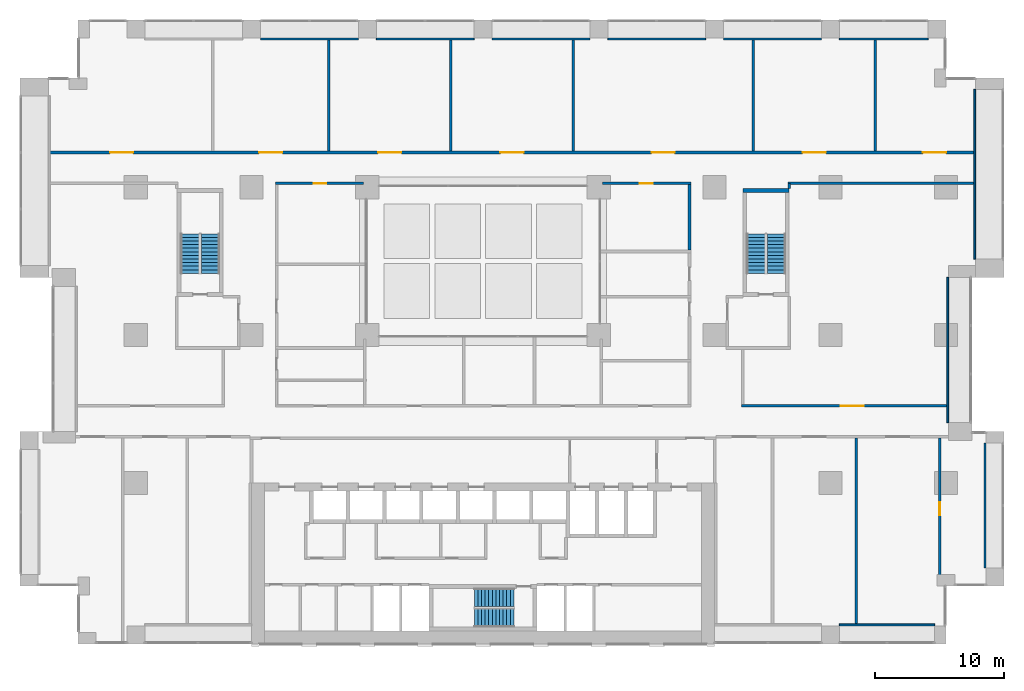
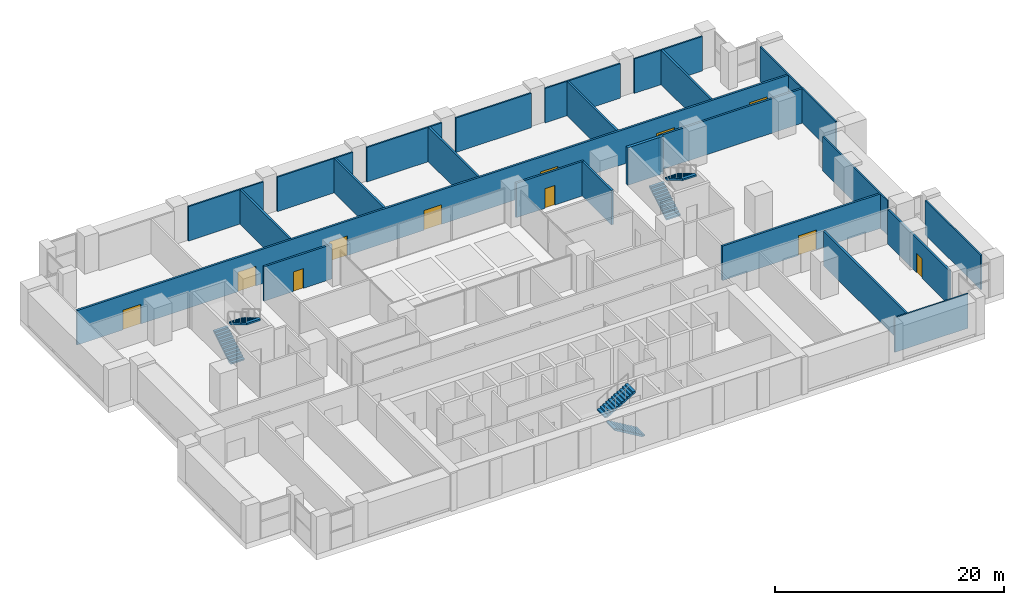
# One storey, part 23 of 24: 25 walls, 11 doors, 6 stair flights, 11 openings, 3 elements without a shape of their own.
"""IFC4 building model written with IfcOpenShell, lengths in metres."""

import ifcopenshell
import ifcopenshell.guid

model = None  # the IFC model being written
_history = None  # IfcOwnerHistory: only IFC2X3 demands one
_inside = {}  # id of a spatial element -> (the spatial element, [elements in it])
_under = {}  # id of a project, library or spatial element -> (it, [spatial elements below it])
_declared = {}  # id of a project -> (the project, [libraries it declares])
_typed = {}  # id of a type object -> (the type object, [elements of that type])
_made_of = {}  # id of a material, layer set ... -> (it, [elements and type objects made of it])


def new_model(schema):
    """Start an empty IFC model of exactly this schema.

    Asked for "IFC4X3", IfcOpenShell would pick the latest addendum, in which some entities
    have other attributes; the version numbers below select the first issue.
    IFC2X3 requires an IfcOwnerHistory on every rooted entity: one is made here for all.
    """
    global model, _history
    if schema == "IFC4X3":
        model = ifcopenshell.file(schema_version=(4, 3, 0, 0))
    else:
        model = ifcopenshell.file(schema=schema)
    _inside.clear()
    _under.clear()
    _declared.clear()
    _typed.clear()
    _made_of.clear()
    _history = None
    if model.schema == "IFC2X3":
        org = make("IfcOrganization", Name="unknown")
        user = make(
            "IfcPersonAndOrganization",
            ThePerson=make("IfcPerson", FamilyName="unknown"),
            TheOrganization=org,
        )
        app = make(
            "IfcApplication",
            ApplicationDeveloper=org,
            Version="unknown",
            ApplicationFullName="unknown",
            ApplicationIdentifier="unknown",
        )
        _history = make(
            "IfcOwnerHistory",
            OwningUser=user,
            OwningApplication=app,
            ChangeAction="ADDED",
            CreationDate=0,
        )
    return model


def make(cls, **values):
    """One entity of the class cls with the attributes given. An attribute that is None is left unset."""
    return model.create_entity(
        cls, **{name: value for name, value in values.items() if value is not None}
    )


def rooted(cls, **values):
    """An entity with a GlobalId (a new one), such as an element, a storey or a relation."""
    return make(cls, GlobalId=ifcopenshell.guid.new(), OwnerHistory=_history, **values)


def si_unit(unit_type, name, prefix=None):
    """IfcSIUnit, for example si_unit("LENGTHUNIT", "METRE", prefix="MILLI")."""
    return make("IfcSIUnit", UnitType=unit_type, Prefix=prefix, Name=name)


def assignment(units):
    """IfcUnitAssignment: the units of a project."""
    return None if units is None else make("IfcUnitAssignment", Units=units)


def point(xyz):
    """IfcCartesianPoint."""
    return None if xyz is None else make("IfcCartesianPoint", Coordinates=xyz)


def direction(xyz):
    """IfcDirection."""
    return None if xyz is None else make("IfcDirection", DirectionRatios=xyz)


def frame(location, z_axis=None, x_axis=None):
    """IfcAxis2Placement3D, a coordinate frame: its origin and axes. An axis left out is left unset."""
    return make(
        "IfcAxis2Placement3D",
        Location=point(location),
        Axis=direction(z_axis),
        RefDirection=direction(x_axis),
    )


def frame_2d(location, x_axis=None):
    """IfcAxis2Placement2D, a coordinate frame in the plane: its origin and x axis."""
    return make(
        "IfcAxis2Placement2D", Location=point(location), RefDirection=direction(x_axis)
    )


def origin():
    """The frame at (0, 0, 0) with its axes left unset."""
    return frame((0.0, 0.0, 0.0))


def place(relative_to, where):
    """IfcLocalPlacement: puts the frame where relative to a parent placement (None: the world)."""
    return make(
        "IfcLocalPlacement", PlacementRelTo=relative_to, RelativePlacement=where
    )


def context(
    kind, dimensions, precision=None, world=None, true_north=None, identifier=None
):
    """IfcGeometricRepresentationContext, for example the 3D "Model" context."""
    return make(
        "IfcGeometricRepresentationContext",
        ContextIdentifier=identifier,
        ContextType=kind,
        CoordinateSpaceDimension=dimensions,
        Precision=precision,
        WorldCoordinateSystem=world,
        TrueNorth=true_north,
    )


def subcontext(parent, identifier, kind, view, scale=None):
    """IfcGeometricRepresentationSubContext, for example "Body" below "Model"."""
    return make(
        "IfcGeometricRepresentationSubContext",
        ContextIdentifier=identifier,
        ContextType=kind,
        ParentContext=parent,
        TargetScale=scale,
        TargetView=view,
    )


def project(units=None, contexts=None):
    """IfcProject with its units and contexts."""
    return rooted(
        "IfcProject",
        Name="project",
        RepresentationContexts=contexts,
        UnitsInContext=assignment(units),
    )


def spatial(cls, under=None, at=None, **own):
    """A site, building, storey or space (cls), placed at a placement, below another one or the project."""
    s = rooted(cls, ObjectPlacement=at, **own)
    if under is not None:
        _under.setdefault(under.id(), (under, []))[1].append(s)
    return s


def polyline(points):
    """IfcPolyline through the points."""
    return make("IfcPolyline", Points=[point(p) for p in points])


def profile(cls, at=None, kind="AREA", **sizes):
    """A parametric profile (cls). Its sizes go by their IFC names, for example OverallWidth=200.0."""
    return make(cls, ProfileType=kind, Position=at, **sizes)


def rectangle(**sizes):
    """IfcRectangleProfileDef."""
    return profile("IfcRectangleProfileDef", **sizes)


def outline(outer, holes=None, kind="AREA"):
    """IfcArbitraryClosedProfileDef: a profile drawn as a closed curve; with holes, ...WithVoids."""
    if holes is None:
        return make("IfcArbitraryClosedProfileDef", ProfileType=kind, OuterCurve=outer)
    return make(
        "IfcArbitraryProfileDefWithVoids",
        ProfileType=kind,
        OuterCurve=outer,
        InnerCurves=holes,
    )


def extrude(swept, where, along, depth):
    """IfcExtrudedAreaSolid: the profile swept, set in the frame where, extruded along a direction by depth."""
    return make(
        "IfcExtrudedAreaSolid",
        SweptArea=swept,
        Position=where,
        ExtrudedDirection=direction(along),
        Depth=depth,
    )


def shape(context_of_items, identifier, shape_type, items):
    """IfcShapeRepresentation: the items that make up one representation, for example the "Body"."""
    return make(
        "IfcShapeRepresentation",
        ContextOfItems=context_of_items,
        RepresentationIdentifier=identifier,
        RepresentationType=shape_type,
        Items=items,
    )


def material(Name=None, Category=None):
    """IfcMaterial."""
    return make("IfcMaterial", Name=Name, Category=Category)


def layer(
    of_material, thickness, ventilated=None, Name=None, Category=None, Priority=None
):
    """IfcMaterialLayer: one layer of a wall or slab, of a material (None: an air gap)."""
    return make(
        "IfcMaterialLayer",
        Material=of_material,
        LayerThickness=thickness,
        IsVentilated=ventilated,
        Name=Name,
        Category=Category,
        Priority=Priority,
    )


def layer_set(layers, Name=None):
    """IfcMaterialLayerSet."""
    return make("IfcMaterialLayerSet", MaterialLayers=layers, LayerSetName=Name)


def made_of(thing, what):
    """Note that an element or type object is made of a material, layer set ...; save() writes the relation."""
    if what is not None:
        _made_of.setdefault(what.id(), (what, []))[1].append(thing)
    return thing


def type_object(cls, material=None, **own):
    """A type object (cls), such as IfcWallType, which elements share."""
    return made_of(rooted(cls, **own), material)


def element(
    cls,
    number,
    at=None,
    inside=None,
    cuts=None,
    type_object=None,
    material=None,
    context=None,
    identifier="Body",
    shape_type=None,
    held_by="IfcProductDefinitionShape",
    body=None,
    shapes=None,
    **own,
):
    """One element of the class cls, such as IfcWall. Its Tag is "e" and its number.

    at: its placement. inside: the storey or other place that contains it. cuts: it is an
    opening in that element (IfcRelVoidsElement). A single representation is given by context,
    identifier, shape_type and body (its items); several are given by shapes. held_by: the class
    of the entity that holds the representations. save() writes the other relations.
    """
    e = rooted(cls, Tag="e%d" % number, ObjectPlacement=at, **own)
    if body is not None:
        shapes = [shape(context, identifier, shape_type, body)]
    if shapes is not None:
        e.Representation = make(held_by, Representations=shapes)
    if inside is not None:
        _inside.setdefault(inside.id(), (inside, []))[1].append(e)
    if cuts is not None:
        rooted(
            "IfcRelVoidsElement", RelatingBuildingElement=cuts, RelatedOpeningElement=e
        )
    if type_object is not None:
        _typed.setdefault(type_object.id(), (type_object, []))[1].append(e)
    return made_of(e, material)


def fill(opening, filler):
    """IfcRelFillsElement: the door or window that sits in an opening."""
    return rooted(
        "IfcRelFillsElement",
        RelatingOpeningElement=opening,
        RelatedBuildingElement=filler,
    )


def aggregate(whole, parts):
    """IfcRelAggregates: a whole, such as a stair, and the parts it consists of."""
    return rooted("IfcRelAggregates", RelatingObject=whole, RelatedObjects=parts)


def save(model, path):
    """Write the relations noted so far, then the file.

    IfcRelAggregates (storeys below a building ...), IfcRelContainedInSpatialStructure (elements
    in a storey), IfcRelDefinesByType, IfcRelAssociatesMaterial and IfcRelDeclares: one each for
    every whole, place, type object, material and project.
    """
    for whole, parts in _under.values():
        aggregate(whole, parts)
    for where, things in _inside.values():
        rooted(
            "IfcRelContainedInSpatialStructure",
            RelatedElements=things,
            RelatingStructure=where,
        )
    for kind, things in _typed.values():
        rooted("IfcRelDefinesByType", RelatedObjects=things, RelatingType=kind)
    for what, things in _made_of.values():
        rooted("IfcRelAssociatesMaterial", RelatedObjects=things, RelatingMaterial=what)
    for by, libraries in _declared.values():
        rooted("IfcRelDeclares", RelatingContext=by, RelatedDefinitions=libraries)
    model.write(path)


model = new_model("IFC4")

# Units and contexts
model_context = context("Model", 3, precision=1e-05, world=origin(), true_north=direction((0.0, 1.0)))
body_context = subcontext(model_context, "Body", "Model", "MODEL_VIEW")
ifc_project = project(units=[si_unit("LENGTHUNIT", "METRE"), si_unit("AREAUNIT", "SQUARE_METRE"), si_unit("VOLUMEUNIT", "CUBIC_METRE"), si_unit("PLANEANGLEUNIT", "RADIAN"), si_unit("MASSUNIT", "GRAM", prefix="KILO")], contexts=[model_context])

# Site, building, storey
site_placement = place(None, origin())
site = spatial("IfcSite", under=ifc_project, at=site_placement, CompositionType="ELEMENT")
building_placement = place(site_placement, origin())
building = spatial("IfcBuilding", under=site, at=building_placement, Name="Brigalow Station Residences", CompositionType="ELEMENT")
storey_placement = place(building_placement, frame((0.0, 0.0, 15.5)))
storey = spatial("IfcBuildingStorey", under=building, at=storey_placement, Name="L03", CompositionType="ELEMENT", Elevation=15.5)

# Wall
ifc_material_1 = material(Name="Concrete C80", Category="concrete")
ifc_layer_1 = layer(ifc_material_1, 0.300048828125)
ifc_layer_set_1 = layer_set([ifc_layer_1], Name="CORE SHEAR WALL 300 C80")
wall_type_1 = type_object("IfcWallType", Name="CORE SHEAR WALL 300 C80", PredefinedType="SHEAR", material=ifc_layer_set_1)
wall_1_placement = place(storey_placement, frame((56.199951171875, 35.25, 0.0), z_axis=(0.0, 0.0, 1.0), x_axis=(1.0, 0.0, 0.0)))
element("IfcWall", 1, at=wall_1_placement, inside=storey, type_object=wall_type_1, Name="CORE WALL ST-S3-N L03", PredefinedType="SHEAR", context=body_context, shape_type="SweptSolid", body=[
    extrude(rectangle(XDim=3.60009765625, YDim=0.300048828125, at=frame_2d((1.800048828125, 0.0))), origin(), (0.0, 0.0, 1.0), 4.0),
])

# Wall, opening, door
ifc_material_2 = material(Name="Concrete blockwork", Category="masonry")
ifc_layer_2 = layer(ifc_material_2, 0.199951171875)
ifc_layer_set_2 = layer_set([ifc_layer_2], Name="FIRE RATED CORE PARTITION 200")
wall_type_2 = type_object("IfcWallType", Name="FIRE RATED CORE PARTITION 200", PredefinedType="PARTITIONING", material=ifc_layer_set_2)
wall_2_placement = place(storey_placement, frame((56.10009765625, 18.5, 0.0), z_axis=(0.0, 0.0, 1.0), x_axis=(1.0, 0.0, 0.0)))
wall_2 = element("IfcWall", 2, at=wall_2_placement, inside=storey, type_object=wall_type_2, Name="PW-5068", PredefinedType="PARTITIONING", context=body_context, shape_type="SweptSolid", body=[
    extrude(rectangle(XDim=15.949951171875, YDim=0.199951171875, at=frame_2d((7.97509765625, 0.0))), origin(), (0.0, 0.0, 1.0), 3.679931640625),
])
opening_1_placement = place(wall_2_placement, frame((7.699951171875, 0.0, 0.0)))
opening_1 = element("IfcOpeningElement", 3, at=opening_1_placement, cuts=wall_2, Name="Opening D-5064", PredefinedType="OPENING", context=body_context, shape_type="SweptSolid", body=[
    extrude(rectangle(XDim=1.800048828125, YDim=2.10009765625, at=frame_2d((0.89990234375, 1.050048828125))), frame((0.0, 0.10986328125, 0.0), z_axis=(0.0, -1.0, 0.0), x_axis=(1.0, 0.0, 0.0)), (0.0, 0.0, 1.0), 0.219970703125),
])
ifc_material_3 = material(Name="Steel fire door leaf in steel frame", Category="steel")
door_type_1 = type_object("IfcDoorType", Name="PLANT ROOM DOOR 1800 x 2100 FD60", OperationType="DOUBLE_DOOR_SINGLE_SWING", PredefinedType="DOOR", material=ifc_material_3)
door_1_placement = place(opening_1_placement, origin())
door_1 = element("IfcDoor", 4, at=door_1_placement, inside=storey, type_object=door_type_1, Name="D-5064", OperationType="DOUBLE_DOOR_SINGLE_SWING", OverallHeight=2.10009765625, OverallWidth=1.800048828125, PredefinedType="DOOR", context=body_context, shape_type="SweptSolid", body=[
    extrude(rectangle(XDim=1.800048828125, YDim=2.10009765625, at=frame_2d((0.89990234375, 1.050048828125))), frame((0.0, 0.02490234375, 0.0), z_axis=(0.0, -1.0, 0.0), x_axis=(1.0, 0.0, 0.0)), (0.0, 0.0, 1.0), 0.050048828125),
])
fill(opening_1, door_1)

wall_3_placement = place(storey_placement, frame((19.85009765625, 35.800048828125, 0.0), z_axis=(0.0, 0.0, 1.0), x_axis=(1.0, 0.0, 0.0)))
wall_3 = element("IfcWall", 5, at=wall_3_placement, inside=storey, type_object=wall_type_2, Name="PW-5077", PredefinedType="PARTITIONING", context=body_context, shape_type="SweptSolid", body=[
    extrude(rectangle(XDim=6.849853515625, YDim=0.199951171875, at=frame_2d((3.4248046875, 0.0))), origin(), (0.0, 0.0, 1.0), 3.679931640625),
])
opening_2_placement = place(wall_3_placement, frame((2.97509765625, 0.0, 0.0)))
opening_2 = element("IfcOpeningElement", 6, at=opening_2_placement, cuts=wall_3, Name="Opening D-5055", PredefinedType="OPENING", context=body_context, shape_type="SweptSolid", body=[
    extrude(rectangle(XDim=1.0, YDim=2.10009765625, at=frame_2d((0.5, 1.050048828125))), frame((0.0, 0.10986328125, 0.0), z_axis=(0.0, -1.0, 0.0), x_axis=(1.0, 0.0, 0.0)), (0.0, 0.0, 1.0), 0.219970703125),
])
ifc_material_4 = material(Name="Steel fire door leaf in steel frame", Category="steel")
door_type_2 = type_object("IfcDoorType", Name="PLANT ROOM DOOR 1000 x 2100 FD60", OperationType="SINGLE_SWING_LEFT", PredefinedType="DOOR", material=ifc_material_4)
door_2_placement = place(opening_2_placement, frame((1.0, 0.0, 0.0), z_axis=(0.0, 0.0, 1.0), x_axis=(-1.0, 0.0, 0.0)))
door_2 = element("IfcDoor", 7, at=door_2_placement, inside=storey, type_object=door_type_2, Name="D-5055", OperationType="SINGLE_SWING_RIGHT", OverallHeight=2.10009765625, OverallWidth=1.0, PredefinedType="DOOR", context=body_context, shape_type="SweptSolid", body=[
    extrude(rectangle(XDim=1.0, YDim=2.10009765625, at=frame_2d((0.5, 1.050048828125))), frame((0.0, 0.02490234375, 0.0), z_axis=(0.0, -1.0, 0.0), x_axis=(1.0, 0.0, 0.0)), (0.0, 0.0, 1.0), 0.050048828125),
])
fill(opening_2, door_2)

wall_4_placement = place(storey_placement, frame((45.300048828125, 35.800048828125, 0.0), z_axis=(0.0, 0.0, 1.0), x_axis=(1.0, 0.0, 0.0)))
wall_4 = element("IfcWall", 8, at=wall_4_placement, inside=storey, type_object=wall_type_2, Name="PW-5078", PredefinedType="PARTITIONING", context=body_context, shape_type="SweptSolid", body=[
    extrude(rectangle(XDim=6.849853515625, YDim=0.199951171875, at=frame_2d((3.4248046875, 0.0))), origin(), (0.0, 0.0, 1.0), 3.679931640625),
])
opening_3_placement = place(wall_4_placement, frame((2.875, 0.0, 0.0)))
opening_3 = element("IfcOpeningElement", 9, at=opening_3_placement, cuts=wall_4, Name="Opening D-5059", PredefinedType="OPENING", context=body_context, shape_type="SweptSolid", body=[
    extrude(rectangle(XDim=1.0, YDim=2.10009765625, at=frame_2d((0.5, 1.050048828125))), frame((0.0, 0.10986328125, 0.0), z_axis=(0.0, -1.0, 0.0), x_axis=(1.0, 0.0, 0.0)), (0.0, 0.0, 1.0), 0.219970703125),
])
door_3_placement = place(opening_3_placement, frame((1.0, 0.0, 0.0), z_axis=(0.0, 0.0, 1.0), x_axis=(-1.0, 0.0, 0.0)))
door_3 = element("IfcDoor", 10, at=door_3_placement, inside=storey, type_object=door_type_2, Name="D-5059", OperationType="SINGLE_SWING_LEFT", OverallHeight=2.10009765625, OverallWidth=1.0, PredefinedType="DOOR", context=body_context, shape_type="SweptSolid", body=[
    extrude(rectangle(XDim=1.0, YDim=2.10009765625, at=frame_2d((0.5, 1.050048828125))), frame((0.0, 0.02490234375, 0.0), z_axis=(0.0, -1.0, 0.0), x_axis=(1.0, 0.0, 0.0)), (0.0, 0.0, 1.0), 0.050048828125),
])
fill(opening_3, door_3)

# Wall
wall_5_placement = place(storey_placement, frame((59.699951171875, 35.800048828125, 0.0), z_axis=(0.0, 0.0, 1.0), x_axis=(1.0, 0.0, 0.0)))
element("IfcWall", 11, at=wall_5_placement, inside=storey, type_object=wall_type_2, Name="PW-5079", PredefinedType="PARTITIONING", context=body_context, shape_type="SweptSolid", body=[
    extrude(rectangle(XDim=14.449951171875, YDim=0.199951171875, at=frame_2d((7.22509765625, 0.0))), origin(), (0.0, 0.0, 1.0), 3.679931640625),
])

# Wall, openings, doors
wall_6_placement = place(storey_placement, frame((2.35009765625, 38.199951171875, 0.0), z_axis=(0.0, 0.0, 1.0), x_axis=(1.0, 0.0, 0.0)))
wall_6 = element("IfcWall", 12, at=wall_6_placement, inside=storey, type_object=wall_type_2, Name="PW-5080", PredefinedType="PARTITIONING", context=body_context, shape_type="SweptSolid", body=[
    extrude(rectangle(XDim=71.7998046875, YDim=0.199951171875, at=frame_2d((35.89990234375, 0.0))), origin(), (0.0, 0.0, 1.0), 3.679931640625),
])
opening_4_placement = place(wall_6_placement, frame((4.64990234375, 0.0, 0.0)))
opening_4 = element("IfcOpeningElement", 13, at=opening_4_placement, cuts=wall_6, Name="Opening D-5065", PredefinedType="OPENING", context=body_context, shape_type="SweptSolid", body=[
    extrude(rectangle(XDim=1.800048828125, YDim=2.10009765625, at=frame_2d((0.89990234375, 1.050048828125))), frame((0.0, 0.10986328125, 0.0), z_axis=(0.0, -1.0, 0.0), x_axis=(1.0, 0.0, 0.0)), (0.0, 0.0, 1.0), 0.219970703125),
])
opening_5_placement = place(wall_6_placement, frame((16.25, 0.0, 0.0)))
opening_5 = element("IfcOpeningElement", 14, at=opening_5_placement, cuts=wall_6, Name="Opening D-5066", PredefinedType="OPENING", context=body_context, shape_type="SweptSolid", body=[
    extrude(rectangle(XDim=1.800048828125, YDim=2.10009765625, at=frame_2d((0.89990234375, 1.050048828125))), frame((0.0, 0.10986328125, 0.0), z_axis=(0.0, -1.0, 0.0), x_axis=(1.0, 0.0, 0.0)), (0.0, 0.0, 1.0), 0.219970703125),
])
opening_6_placement = place(wall_6_placement, frame((25.5, 0.0, 0.0)))
opening_6 = element("IfcOpeningElement", 15, at=opening_6_placement, cuts=wall_6, Name="Opening D-5067", PredefinedType="OPENING", context=body_context, shape_type="SweptSolid", body=[
    extrude(rectangle(XDim=1.800048828125, YDim=2.10009765625, at=frame_2d((0.89990234375, 1.050048828125))), frame((0.0, 0.10986328125, 0.0), z_axis=(0.0, -1.0, 0.0), x_axis=(1.0, 0.0, 0.0)), (0.0, 0.0, 1.0), 0.219970703125),
])
opening_7_placement = place(wall_6_placement, frame((35.0, 0.0, 0.0)))
opening_7 = element("IfcOpeningElement", 16, at=opening_7_placement, cuts=wall_6, Name="Opening D-5068", PredefinedType="OPENING", context=body_context, shape_type="SweptSolid", body=[
    extrude(rectangle(XDim=1.800048828125, YDim=2.10009765625, at=frame_2d((0.89990234375, 1.050048828125))), frame((0.0, 0.10986328125, 0.0), z_axis=(0.0, -1.0, 0.0), x_axis=(1.0, 0.0, 0.0)), (0.0, 0.0, 1.0), 0.219970703125),
])
opening_8_placement = place(wall_6_placement, frame((46.75, 0.0, 0.0)))
opening_8 = element("IfcOpeningElement", 17, at=opening_8_placement, cuts=wall_6, Name="Opening D-5069", PredefinedType="OPENING", context=body_context, shape_type="SweptSolid", body=[
    extrude(rectangle(XDim=1.800048828125, YDim=2.10009765625, at=frame_2d((0.89990234375, 1.050048828125))), frame((0.0, 0.10986328125, 0.0), z_axis=(0.0, -1.0, 0.0), x_axis=(1.0, 0.0, 0.0)), (0.0, 0.0, 1.0), 0.219970703125),
])
opening_9_placement = place(wall_6_placement, frame((58.5, 0.0, 0.0)))
opening_9 = element("IfcOpeningElement", 18, at=opening_9_placement, cuts=wall_6, Name="Opening D-5070", PredefinedType="OPENING", context=body_context, shape_type="SweptSolid", body=[
    extrude(rectangle(XDim=1.800048828125, YDim=2.10009765625, at=frame_2d((0.89990234375, 1.050048828125))), frame((0.0, 0.10986328125, 0.0), z_axis=(0.0, -1.0, 0.0), x_axis=(1.0, 0.0, 0.0)), (0.0, 0.0, 1.0), 0.219970703125),
])
opening_10_placement = place(wall_6_placement, frame((67.85009765625, 0.0, 0.0)))
opening_10 = element("IfcOpeningElement", 19, at=opening_10_placement, cuts=wall_6, Name="Opening D-5071", PredefinedType="OPENING", context=body_context, shape_type="SweptSolid", body=[
    extrude(rectangle(XDim=1.800048828125, YDim=2.10009765625, at=frame_2d((0.89990234375, 1.050048828125))), frame((0.0, 0.10986328125, 0.0), z_axis=(0.0, -1.0, 0.0), x_axis=(1.0, 0.0, 0.0)), (0.0, 0.0, 1.0), 0.219970703125),
])
door_4_placement = place(opening_4_placement, origin())
door_4 = element("IfcDoor", 20, at=door_4_placement, inside=storey, type_object=door_type_1, Name="D-5065", OperationType="DOUBLE_DOOR_SINGLE_SWING", OverallHeight=2.10009765625, OverallWidth=1.800048828125, PredefinedType="DOOR", context=body_context, shape_type="SweptSolid", body=[
    extrude(rectangle(XDim=1.800048828125, YDim=2.10009765625, at=frame_2d((0.89990234375, 1.050048828125))), frame((0.0, 0.02490234375, 0.0), z_axis=(0.0, -1.0, 0.0), x_axis=(1.0, 0.0, 0.0)), (0.0, 0.0, 1.0), 0.050048828125),
])
fill(opening_4, door_4)
door_5_placement = place(opening_5_placement, origin())
door_5 = element("IfcDoor", 21, at=door_5_placement, inside=storey, type_object=door_type_1, Name="D-5066", OperationType="DOUBLE_DOOR_SINGLE_SWING", OverallHeight=2.10009765625, OverallWidth=1.800048828125, PredefinedType="DOOR", context=body_context, shape_type="SweptSolid", body=[
    extrude(rectangle(XDim=1.800048828125, YDim=2.10009765625, at=frame_2d((0.89990234375, 1.050048828125))), frame((0.0, 0.02490234375, 0.0), z_axis=(0.0, -1.0, 0.0), x_axis=(1.0, 0.0, 0.0)), (0.0, 0.0, 1.0), 0.050048828125),
])
fill(opening_5, door_5)
door_6_placement = place(opening_6_placement, origin())
door_6 = element("IfcDoor", 22, at=door_6_placement, inside=storey, type_object=door_type_1, Name="D-5067", OperationType="DOUBLE_DOOR_SINGLE_SWING", OverallHeight=2.10009765625, OverallWidth=1.800048828125, PredefinedType="DOOR", context=body_context, shape_type="SweptSolid", body=[
    extrude(rectangle(XDim=1.800048828125, YDim=2.10009765625, at=frame_2d((0.89990234375, 1.050048828125))), frame((0.0, 0.02490234375, 0.0), z_axis=(0.0, -1.0, 0.0), x_axis=(1.0, 0.0, 0.0)), (0.0, 0.0, 1.0), 0.050048828125),
])
fill(opening_6, door_6)
door_7_placement = place(opening_7_placement, origin())
door_7 = element("IfcDoor", 23, at=door_7_placement, inside=storey, type_object=door_type_1, Name="D-5068", OperationType="DOUBLE_DOOR_SINGLE_SWING", OverallHeight=2.10009765625, OverallWidth=1.800048828125, PredefinedType="DOOR", context=body_context, shape_type="SweptSolid", body=[
    extrude(rectangle(XDim=1.800048828125, YDim=2.10009765625, at=frame_2d((0.89990234375, 1.050048828125))), frame((0.0, 0.02490234375, 0.0), z_axis=(0.0, -1.0, 0.0), x_axis=(1.0, 0.0, 0.0)), (0.0, 0.0, 1.0), 0.050048828125),
])
fill(opening_7, door_7)
door_8_placement = place(opening_8_placement, origin())
door_8 = element("IfcDoor", 24, at=door_8_placement, inside=storey, type_object=door_type_1, Name="D-5069", OperationType="DOUBLE_DOOR_SINGLE_SWING", OverallHeight=2.10009765625, OverallWidth=1.800048828125, PredefinedType="DOOR", context=body_context, shape_type="SweptSolid", body=[
    extrude(rectangle(XDim=1.800048828125, YDim=2.10009765625, at=frame_2d((0.89990234375, 1.050048828125))), frame((0.0, 0.02490234375, 0.0), z_axis=(0.0, -1.0, 0.0), x_axis=(1.0, 0.0, 0.0)), (0.0, 0.0, 1.0), 0.050048828125),
])
fill(opening_8, door_8)
door_9_placement = place(opening_9_placement, origin())
door_9 = element("IfcDoor", 25, at=door_9_placement, inside=storey, type_object=door_type_1, Name="D-5070", OperationType="DOUBLE_DOOR_SINGLE_SWING", OverallHeight=2.10009765625, OverallWidth=1.800048828125, PredefinedType="DOOR", context=body_context, shape_type="SweptSolid", body=[
    extrude(rectangle(XDim=1.800048828125, YDim=2.10009765625, at=frame_2d((0.89990234375, 1.050048828125))), frame((0.0, 0.02490234375, 0.0), z_axis=(0.0, -1.0, 0.0), x_axis=(1.0, 0.0, 0.0)), (0.0, 0.0, 1.0), 0.050048828125),
])
fill(opening_9, door_9)
door_10_placement = place(opening_10_placement, origin())
door_10 = element("IfcDoor", 26, at=door_10_placement, inside=storey, type_object=door_type_1, Name="D-5071", OperationType="DOUBLE_DOOR_SINGLE_SWING", OverallHeight=2.10009765625, OverallWidth=1.800048828125, PredefinedType="DOOR", context=body_context, shape_type="SweptSolid", body=[
    extrude(rectangle(XDim=1.800048828125, YDim=2.10009765625, at=frame_2d((0.89990234375, 1.050048828125))), frame((0.0, 0.02490234375, 0.0), z_axis=(0.0, -1.0, 0.0), x_axis=(1.0, 0.0, 0.0)), (0.0, 0.0, 1.0), 0.050048828125),
])
fill(opening_10, door_10)

# Wall
wall_7_placement = place(storey_placement, frame((65.0, 1.550048828125, 0.0), z_axis=(0.0, 0.0, 1.0), x_axis=(0.0, 1.0, 0.0)))
element("IfcWall", 27, at=wall_7_placement, inside=storey, type_object=wall_type_2, Name="PW-5086", PredefinedType="PARTITIONING", context=body_context, shape_type="SweptSolid", body=[
    extrude(rectangle(XDim=14.449951171875, YDim=0.199951171875, at=frame_2d((7.22509765625, 0.0))), origin(), (0.0, 0.0, 1.0), 3.679931640625),
])

# Wall, opening, door
wall_8_placement = place(storey_placement, frame((71.5, 5.300048828125, 0.0), z_axis=(0.0, 0.0, 1.0), x_axis=(0.0, 1.0, 0.0)))
wall_8 = element("IfcWall", 28, at=wall_8_placement, inside=storey, type_object=wall_type_2, Name="PW-5087", PredefinedType="PARTITIONING", context=body_context, shape_type="SweptSolid", body=[
    extrude(rectangle(XDim=10.699951171875, YDim=0.199951171875, at=frame_2d((5.35009765625, 0.0))), origin(), (0.0, 0.0, 1.0), 3.679931640625),
])
opening_11_placement = place(wall_8_placement, frame((4.699951171875, 0.0, 0.0)))
opening_11 = element("IfcOpeningElement", 29, at=opening_11_placement, cuts=wall_8, Name="Opening D-5051", PredefinedType="OPENING", context=body_context, shape_type="SweptSolid", body=[
    extrude(rectangle(XDim=1.0, YDim=2.10009765625, at=frame_2d((0.5, 1.050048828125))), frame((0.0, 0.10986328125, 0.0), z_axis=(0.0, -1.0, 0.0), x_axis=(1.0, 0.0, 0.0)), (0.0, 0.0, 1.0), 0.219970703125),
])
door_11_placement = place(opening_11_placement, frame((1.0, 0.0, 0.0), z_axis=(0.0, 0.0, 1.0), x_axis=(-1.0, 0.0, 0.0)))
door_11 = element("IfcDoor", 30, at=door_11_placement, inside=storey, type_object=door_type_2, Name="D-5051", OperationType="SINGLE_SWING_RIGHT", OverallHeight=2.10009765625, OverallWidth=1.0, PredefinedType="DOOR", context=body_context, shape_type="SweptSolid", body=[
    extrude(rectangle(XDim=1.0, YDim=2.10009765625, at=frame_2d((0.5, 1.050048828125))), frame((0.0, 0.02490234375, 0.0), z_axis=(0.0, -1.0, 0.0), x_axis=(1.0, 0.0, 0.0)), (0.0, 0.0, 1.0), 0.050048828125),
])
fill(opening_11, door_11)

# Walls
wall_9_placement = place(storey_placement, frame((52.050048828125, 30.60009765625, 0.0), z_axis=(0.0, 0.0, 1.0), x_axis=(0.0, 1.0, 0.0)))
element("IfcWall", 31, at=wall_9_placement, inside=storey, type_object=wall_type_2, Name="PW-5101", PredefinedType="PARTITIONING", context=body_context, shape_type="SweptSolid", body=[
    extrude(rectangle(XDim=5.099853515625, YDim=0.199951171875, at=frame_2d((2.5498046875, 0.0))), origin(), (0.0, 0.0, 1.0), 3.679931640625),
])
wall_10_placement = place(storey_placement, frame((59.800048828125, 35.39990234375, 0.0), z_axis=(0.0, 0.0, 1.0), x_axis=(0.0, 1.0, 0.0)))
element("IfcWall", 32, at=wall_10_placement, inside=storey, type_object=wall_type_2, Name="PW-5103", PredefinedType="PARTITIONING", context=body_context, shape_type="SweptSolid", body=[
    extrude(rectangle(XDim=0.400146484375, YDim=0.199951171875, at=frame_2d((0.2001953125, 0.0))), origin(), (0.0, 0.0, 1.0), 3.679931640625),
])
for number, where, z_axis, x_axis, name in (
    (33, (24.0, 38.300048828125, 0.0), (0.0, 0.0, 1.0), (0.0, 1.0, 0.0), "PW-5105"),
    (34, (33.5, 38.300048828125, 0.0), (0.0, 0.0, 1.0), (0.0, 1.0, 0.0), "PW-5106"),
    (35, (43.0, 38.300048828125, 0.0), (0.0, 0.0, 1.0), (0.0, 1.0, 0.0), "PW-5107"),
    (36, (57.0, 38.300048828125, 0.0), (0.0, 0.0, 1.0), (0.0, 1.0, 0.0), "PW-5108"),
    (37, (66.5, 38.300048828125, 0.0), (0.0, 0.0, 1.0), (0.0, 1.0, 0.0), "PW-5109"),
):
    element("IfcWall", number, at=place(storey_placement, frame(where, z_axis=z_axis, x_axis=x_axis)), inside=storey, type_object=wall_type_2, Name=name, PredefinedType="PARTITIONING", context=body_context, shape_type="SweptSolid", body=[
        extrude(rectangle(XDim=8.64990234375, YDim=0.199951171875, at=frame_2d((4.324951171875, 0.0))), origin(), (0.0, 0.0, 1.0), 3.679931640625),
    ])
ifc_material_5 = material(Name="Plasterboard on steel studs", Category="steel")
ifc_layer_3 = layer(ifc_material_5, 0.14990234375)
ifc_layer_set_3 = layer_set([ifc_layer_3], Name="SERVICE ROOM PARTITION 150")
wall_type_3 = type_object("IfcWallType", Name="SERVICE ROOM PARTITION 150", PredefinedType="PARTITIONING", material=ifc_layer_set_3)
wall_11_placement = place(storey_placement, frame((63.699951171875, 1.47509765625, 0.0), z_axis=(0.0, 0.0, 1.0), x_axis=(1.0, 0.0, 0.0)))
element("IfcWall", 38, at=wall_11_placement, inside=storey, type_object=wall_type_3, Name="PW-5112", PredefinedType="PARTITIONING", context=body_context, shape_type="SweptSolid", body=[
    extrude(rectangle(XDim=7.400146484375, YDim=0.14990234375, at=frame_2d((3.7001953125, 0.0))), origin(), (0.0, 0.0, 1.0), 3.679931640625),
])
wall_12_placement = place(storey_placement, frame((75.02490234375, 5.89990234375, 0.0), z_axis=(0.0, 0.0, 1.0), x_axis=(0.0, 1.0, 0.0)))
element("IfcWall", 39, at=wall_12_placement, inside=storey, type_object=wall_type_3, Name="PW-5113", PredefinedType="PARTITIONING", context=body_context, shape_type="SweptSolid", body=[
    extrude(rectangle(XDim=9.7001953125, YDim=0.14990234375, at=frame_2d((4.85009765625, 0.0))), origin(), (0.0, 0.0, 1.0), 3.679931640625),
])
wall_13_placement = place(storey_placement, frame((72.125, 17.199951171875, 0.0), z_axis=(0.0, 0.0, 1.0), x_axis=(0.0, 1.0, 0.0)))
element("IfcWall", 40, at=wall_13_placement, inside=storey, type_object=wall_type_3, Name="PW-5114", PredefinedType="PARTITIONING", context=body_context, shape_type="SweptSolid", body=[
    extrude(rectangle(XDim=11.300048828125, YDim=0.14990234375, at=frame_2d((5.64990234375, 0.0))), origin(), (0.0, 0.0, 1.0), 3.679931640625),
])
wall_14_placement = place(storey_placement, frame((74.22509765625, 29.89990234375, 0.0), z_axis=(0.0, 0.0, 1.0), x_axis=(0.0, 1.0, 0.0)))
element("IfcWall", 41, at=wall_14_placement, inside=storey, type_object=wall_type_3, Name="PW-5115", PredefinedType="PARTITIONING", context=body_context, shape_type="SweptSolid", body=[
    extrude(rectangle(XDim=13.2001953125, YDim=0.14990234375, at=frame_2d((6.60009765625, 0.0))), origin(), (0.0, 0.0, 1.0), 3.679931640625),
])
wall_15_placement = place(storey_placement, frame((63.699951171875, 47.02490234375, 0.0), z_axis=(0.0, 0.0, 1.0), x_axis=(1.0, 0.0, 0.0)))
element("IfcWall", 42, at=wall_15_placement, inside=storey, type_object=wall_type_3, Name="PW-5116", PredefinedType="PARTITIONING", context=body_context, shape_type="SweptSolid", body=[
    extrude(rectangle(XDim=6.900146484375, YDim=0.14990234375, at=frame_2d((3.4501953125, 0.0))), origin(), (0.0, 0.0, 1.0), 3.679931640625),
])
for number, where, z_axis, x_axis, name in (
    (43, (54.699951171875, 47.02490234375, 0.0), (0.0, 0.0, 1.0), (1.0, 0.0, 0.0), "PW-5117"),
    (44, (45.699951171875, 47.02490234375, 0.0), (0.0, 0.0, 1.0), (1.0, 0.0, 0.0), "PW-5118"),
    (45, (36.699951171875, 47.02490234375, 0.0), (0.0, 0.0, 1.0), (1.0, 0.0, 0.0), "PW-5119"),
    (46, (27.699951171875, 47.02490234375, 0.0), (0.0, 0.0, 1.0), (1.0, 0.0, 0.0), "PW-5120"),
    (47, (18.699951171875, 47.02490234375, 0.0), (0.0, 0.0, 1.0), (1.0, 0.0, 0.0), "PW-5121"),
):
    element("IfcWall", number, at=place(storey_placement, frame(where, z_axis=z_axis, x_axis=x_axis)), inside=storey, type_object=wall_type_3, Name=name, PredefinedType="PARTITIONING", context=body_context, shape_type="SweptSolid", body=[
        extrude(rectangle(XDim=7.60009765625, YDim=0.14990234375, at=frame_2d((3.800048828125, 0.0))), origin(), (0.0, 0.0, 1.0), 3.679931640625),
    ])

# Stair, stair flights
ifc_material_6 = material(Name="Concrete C50", Category="concrete")
stair_type = type_object("IfcStairType", Name="EXIT STAIR 1400 2 FLIGHT", PredefinedType="HALF_TURN_STAIR", material=ifc_material_6)
stair_1_placement = place(storey_placement, origin())
stair_1 = element("IfcStair", 48, at=stair_1_placement, inside=storey, type_object=stair_type, Name="EXIT STAIR S2 L03", PredefinedType="HALF_TURN_STAIR")
ifc_material_7 = material(Name="Concrete C50", Category="concrete")
stair_flight_type = type_object("IfcStairFlightType", Name="STAIR FLIGHT 1400", PredefinedType="STRAIGHT", material=ifc_material_7)
stair_flight_1_placement = place(storey_placement, frame((38.39990234375, 2.0, 0.0), z_axis=(0.0, 0.0, 1.0), x_axis=(-1.0, 0.0, 0.0)))
stair_flight_1 = element("IfcStairFlight", 49, at=stair_flight_1_placement, type_object=stair_flight_type, Name="ST-2 flight 1", NumberOfRisers=12, NumberOfTreads=11, PredefinedType="STRAIGHT", RiserHeight=0.166666667, TreadLength=0.28, context=body_context, shape_type="SweptSolid", body=[
    extrude(outline(polyline([(0.0, 0.0), (0.0, 0.166748046875), (0.280029296875, 0.166748046875), (0.280029296875, 0.333251953125), (0.56005859375, 0.333251953125), (0.56005859375, 0.5), (0.840087890625, 0.5), (0.840087890625, 0.666748046875), (1.1201171875, 0.666748046875), (1.1201171875, 0.833251953125), (1.39990234375, 0.833251953125), (1.39990234375, 1.0), (1.679931640625, 1.0), (1.679931640625, 1.166748046875), (1.9599609375, 1.166748046875), (1.9599609375, 1.333251953125), (2.239990234375, 1.333251953125), (2.239990234375, 1.5), (2.52001953125, 1.5), (2.52001953125, 1.666748046875), (2.800048828125, 1.666748046875), (2.800048828125, 1.833251953125), (3.080078125, 1.833251953125), (3.080078125, 2.0), (3.080078125, 1.658935546875), (0.29296875, 0.0), (0.0, 0.0)])), frame((0.0, 0.699951171875, 0.0), z_axis=(0.0, -1.0, 0.0), x_axis=(1.0, 0.0, 0.0)), (0.0, 0.0, 1.0), 1.39990234375),
])
stair_flight_2_placement = place(storey_placement, frame((35.320068359375, 3.60009765625, 2.0), z_axis=(0.0, 0.0, 1.0), x_axis=(1.0, 0.0, 0.0)))
stair_flight_2 = element("IfcStairFlight", 50, at=stair_flight_2_placement, type_object=stair_flight_type, Name="ST-2 flight 2", NumberOfRisers=12, NumberOfTreads=11, PredefinedType="STRAIGHT", RiserHeight=0.166666667, TreadLength=0.28, context=body_context, shape_type="SweptSolid", body=[
    extrude(outline(polyline([(0.0, 0.0), (0.0, 0.166748046875), (0.280029296875, 0.166748046875), (0.280029296875, 0.333251953125), (0.56005859375, 0.333251953125), (0.56005859375, 0.5), (0.840087890625, 0.5), (0.840087890625, 0.666748046875), (1.1201171875, 0.666748046875), (1.1201171875, 0.833251953125), (1.39990234375, 0.833251953125), (1.39990234375, 1.0), (1.679931640625, 1.0), (1.679931640625, 1.166748046875), (1.9599609375, 1.166748046875), (1.9599609375, 1.333251953125), (2.239990234375, 1.333251953125), (2.239990234375, 1.5), (2.52001953125, 1.5), (2.52001953125, 1.666748046875), (2.800048828125, 1.666748046875), (2.800048828125, 1.833251953125), (3.080078125, 1.833251953125), (3.080078125, 2.0), (3.080078125, 1.658935546875), (0.29296875, 0.0), (0.0, 0.0)])), frame((0.0, 0.699951171875, 0.0), z_axis=(0.0, -1.0, 0.0), x_axis=(1.0, 0.0, 0.0)), (0.0, 0.0, 1.0), 1.39990234375),
])
aggregate(stair_1, [stair_flight_1, stair_flight_2])

stair_2_placement = place(storey_placement, origin())
stair_2 = element("IfcStair", 51, at=stair_2_placement, inside=storey, type_object=stair_type, Name="EXIT STAIR S1 L03", PredefinedType="HALF_TURN_STAIR")
stair_flight_3_placement = place(storey_placement, frame((13.199951171875, 28.800048828125, 0.0), z_axis=(0.0, 0.0, 1.0), x_axis=(0.0, 1.0, 0.0)))
stair_flight_3 = element("IfcStairFlight", 52, at=stair_flight_3_placement, type_object=stair_flight_type, Name="ST-1 flight 1", NumberOfRisers=12, NumberOfTreads=11, PredefinedType="STRAIGHT", RiserHeight=0.166666667, TreadLength=0.28, context=body_context, shape_type="SweptSolid", body=[
    extrude(outline(polyline([(0.0, 0.0), (0.0, 0.166748046875), (0.280029296875, 0.166748046875), (0.280029296875, 0.333251953125), (0.56005859375, 0.333251953125), (0.56005859375, 0.5), (0.840087890625, 0.5), (0.840087890625, 0.666748046875), (1.1201171875, 0.666748046875), (1.1201171875, 0.833251953125), (1.39990234375, 0.833251953125), (1.39990234375, 1.0), (1.679931640625, 1.0), (1.679931640625, 1.166748046875), (1.9599609375, 1.166748046875), (1.9599609375, 1.333251953125), (2.239990234375, 1.333251953125), (2.239990234375, 1.5), (2.52001953125, 1.5), (2.52001953125, 1.666748046875), (2.800048828125, 1.666748046875), (2.800048828125, 1.833251953125), (3.080078125, 1.833251953125), (3.080078125, 2.0), (3.080078125, 1.658935546875), (0.29296875, 0.0), (0.0, 0.0)])), frame((0.0, 0.699951171875, 0.0), z_axis=(0.0, -1.0, 0.0), x_axis=(1.0, 0.0, 0.0)), (0.0, 0.0, 1.0), 1.39990234375),
])
stair_flight_4_placement = place(storey_placement, frame((14.800048828125, 31.8798828125, 2.0), z_axis=(0.0, 0.0, 1.0), x_axis=(0.0, -1.0, 0.0)))
stair_flight_4 = element("IfcStairFlight", 53, at=stair_flight_4_placement, type_object=stair_flight_type, Name="ST-1 flight 2", NumberOfRisers=12, NumberOfTreads=11, PredefinedType="STRAIGHT", RiserHeight=0.166666667, TreadLength=0.28, context=body_context, shape_type="SweptSolid", body=[
    extrude(outline(polyline([(0.0, 0.0), (0.0, 0.166748046875), (0.280029296875, 0.166748046875), (0.280029296875, 0.333251953125), (0.56005859375, 0.333251953125), (0.56005859375, 0.5), (0.840087890625, 0.5), (0.840087890625, 0.666748046875), (1.1201171875, 0.666748046875), (1.1201171875, 0.833251953125), (1.39990234375, 0.833251953125), (1.39990234375, 1.0), (1.679931640625, 1.0), (1.679931640625, 1.166748046875), (1.9599609375, 1.166748046875), (1.9599609375, 1.333251953125), (2.239990234375, 1.333251953125), (2.239990234375, 1.5), (2.52001953125, 1.5), (2.52001953125, 1.666748046875), (2.800048828125, 1.666748046875), (2.800048828125, 1.833251953125), (3.080078125, 1.833251953125), (3.080078125, 2.0), (3.080078125, 1.658935546875), (0.29296875, 0.0), (0.0, 0.0)])), frame((0.0, 0.699951171875, 0.0), z_axis=(0.0, -1.0, 0.0), x_axis=(1.0, 0.0, 0.0)), (0.0, 0.0, 1.0), 1.39990234375),
])
aggregate(stair_2, [stair_flight_3, stair_flight_4])

stair_3_placement = place(storey_placement, origin())
stair_3 = element("IfcStair", 54, at=stair_3_placement, inside=storey, type_object=stair_type, Name="EXIT STAIR S3 L03", PredefinedType="HALF_TURN_STAIR")
stair_flight_5_placement = place(storey_placement, frame((57.199951171875, 28.800048828125, 0.0), z_axis=(0.0, 0.0, 1.0), x_axis=(0.0, 1.0, 0.0)))
stair_flight_5 = element("IfcStairFlight", 55, at=stair_flight_5_placement, type_object=stair_flight_type, Name="ST-3 flight 1", NumberOfRisers=12, NumberOfTreads=11, PredefinedType="STRAIGHT", RiserHeight=0.166666667, TreadLength=0.28, context=body_context, shape_type="SweptSolid", body=[
    extrude(outline(polyline([(0.0, 0.0), (0.0, 0.166748046875), (0.280029296875, 0.166748046875), (0.280029296875, 0.333251953125), (0.56005859375, 0.333251953125), (0.56005859375, 0.5), (0.840087890625, 0.5), (0.840087890625, 0.666748046875), (1.1201171875, 0.666748046875), (1.1201171875, 0.833251953125), (1.39990234375, 0.833251953125), (1.39990234375, 1.0), (1.679931640625, 1.0), (1.679931640625, 1.166748046875), (1.9599609375, 1.166748046875), (1.9599609375, 1.333251953125), (2.239990234375, 1.333251953125), (2.239990234375, 1.5), (2.52001953125, 1.5), (2.52001953125, 1.666748046875), (2.800048828125, 1.666748046875), (2.800048828125, 1.833251953125), (3.080078125, 1.833251953125), (3.080078125, 2.0), (3.080078125, 1.658935546875), (0.29296875, 0.0), (0.0, 0.0)])), frame((0.0, 0.699951171875, 0.0), z_axis=(0.0, -1.0, 0.0), x_axis=(1.0, 0.0, 0.0)), (0.0, 0.0, 1.0), 1.39990234375),
])
stair_flight_6_placement = place(storey_placement, frame((58.800048828125, 31.8798828125, 2.0), z_axis=(0.0, 0.0, 1.0), x_axis=(0.0, -1.0, 0.0)))
stair_flight_6 = element("IfcStairFlight", 56, at=stair_flight_6_placement, type_object=stair_flight_type, Name="ST-3 flight 2", NumberOfRisers=12, NumberOfTreads=11, PredefinedType="STRAIGHT", RiserHeight=0.166666667, TreadLength=0.28, context=body_context, shape_type="SweptSolid", body=[
    extrude(outline(polyline([(0.0, 0.0), (0.0, 0.166748046875), (0.280029296875, 0.166748046875), (0.280029296875, 0.333251953125), (0.56005859375, 0.333251953125), (0.56005859375, 0.5), (0.840087890625, 0.5), (0.840087890625, 0.666748046875), (1.1201171875, 0.666748046875), (1.1201171875, 0.833251953125), (1.39990234375, 0.833251953125), (1.39990234375, 1.0), (1.679931640625, 1.0), (1.679931640625, 1.166748046875), (1.9599609375, 1.166748046875), (1.9599609375, 1.333251953125), (2.239990234375, 1.333251953125), (2.239990234375, 1.5), (2.52001953125, 1.5), (2.52001953125, 1.666748046875), (2.800048828125, 1.666748046875), (2.800048828125, 1.833251953125), (3.080078125, 1.833251953125), (3.080078125, 2.0), (3.080078125, 1.658935546875), (0.29296875, 0.0), (0.0, 0.0)])), frame((0.0, 0.699951171875, 0.0), z_axis=(0.0, -1.0, 0.0), x_axis=(1.0, 0.0, 0.0)), (0.0, 0.0, 1.0), 1.39990234375),
])
aggregate(stair_3, [stair_flight_5, stair_flight_6])

save(model, "model.ifc")
